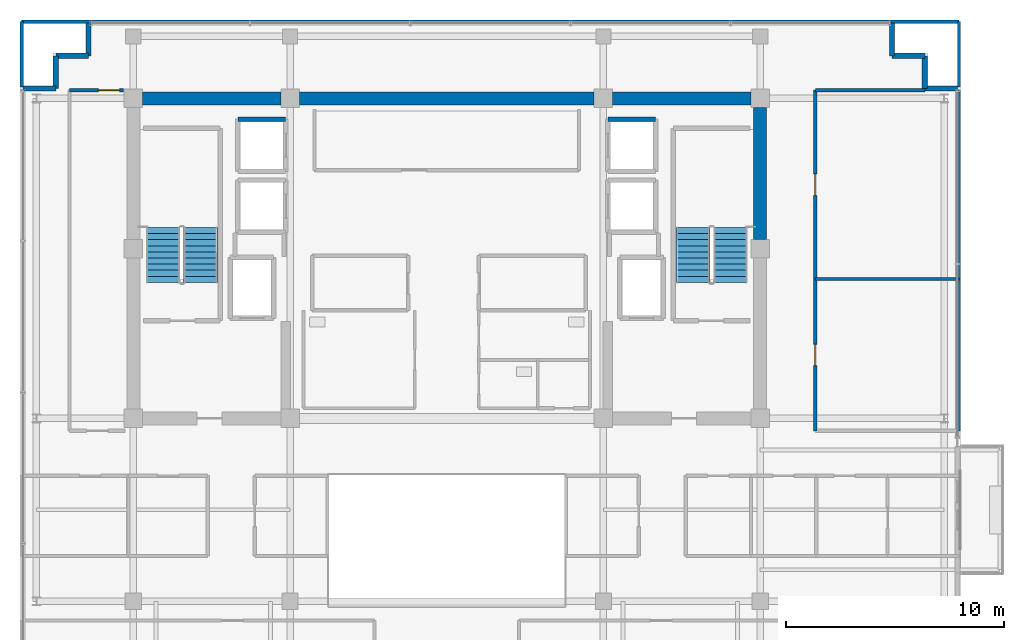
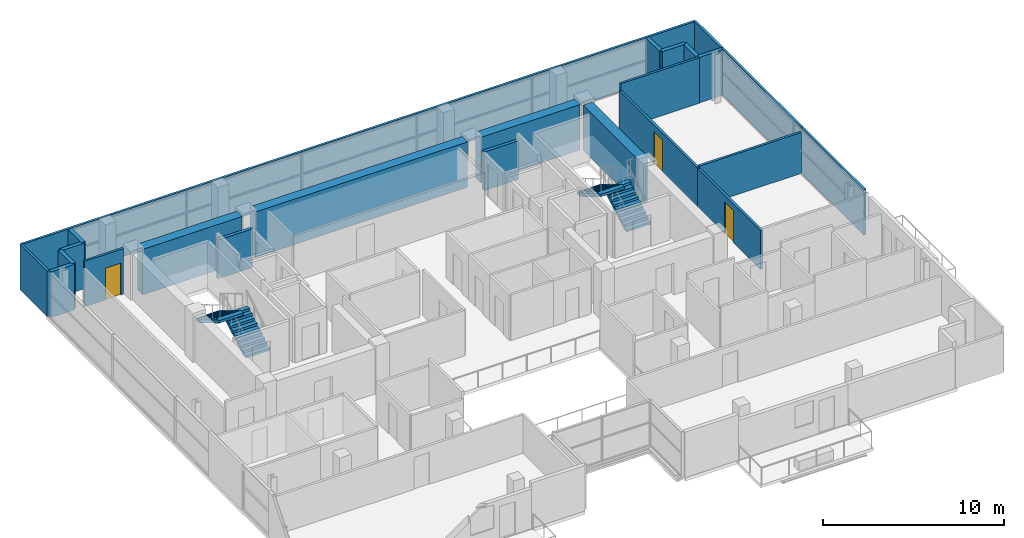
# One storey, part 18 of 22: 24 walls, 4 stair flights, 3 doors, 3 openings, 2 elements without a shape of their own.
"""IFC4 building model written with IfcOpenShell, lengths in metres."""

from ifc_helpers import new_model, si_unit, direction, frame, frame_2d, origin, place, context, subcontext, project, spatial, polyline, rectangle, outline, extrude, source, transform, mapped, material, layer, layer_set, type_object, element, fill, aggregate, save


model = new_model("IFC4")

# Units and contexts
model_context = context("Model", 3, precision=1e-05, world=origin(), true_north=direction((0.0, 1.0)))
body_context = subcontext(model_context, "Body", "Model", "MODEL_VIEW")
ifc_project = project(units=[si_unit("LENGTHUNIT", "METRE"), si_unit("AREAUNIT", "SQUARE_METRE"), si_unit("VOLUMEUNIT", "CUBIC_METRE"), si_unit("PLANEANGLEUNIT", "RADIAN"), si_unit("MASSUNIT", "GRAM", prefix="KILO")], contexts=[model_context])

# Site, building, storey
site_placement = place(None, origin())
site = spatial("IfcSite", under=ifc_project, at=site_placement, CompositionType="ELEMENT")
building_placement = place(site_placement, origin())
building = spatial("IfcBuilding", under=site, at=building_placement, Name="Zarnakvel Exchange Tower", CompositionType="ELEMENT")
storey_placement = place(building_placement, frame((0.0, 0.0, 251.800048828125)))
storey = spatial("IfcBuildingStorey", under=building, at=storey_placement, Name="L71", CompositionType="ELEMENT", Elevation=251.800048828125)

# Walls
ifc_material_1 = material(Name="Concrete C50/60", Category="concrete")
ifc_layer_1 = layer(ifc_material_1, 0.60009765625)
ifc_layer_set_1 = layer_set([ifc_layer_1], Name="Concrete C50/60")
wall_type_1 = type_object("IfcWallType", Name="CW-C5", PredefinedType="SHEAR", material=ifc_layer_set_1)
wall_1_placement = place(storey_placement, frame((-13.97509765625, 13.5, 0.0), z_axis=(0.0, 0.0, 1.0), x_axis=(1.0, 0.0, 0.0)))
element("IfcWall", 1, at=wall_1_placement, inside=storey, type_object=wall_type_1, Name="L71 Rear Core Shear Wall N1 (CW-C5)", PredefinedType="SHEAR", context=body_context, shape_type="SweptSolid", body=[
    extrude(rectangle(XDim=6.35009765625, YDim=0.60009765625, at=frame_2d((3.175048828125, 0.0))), origin(), (0.0, 0.0, 1.0), 3.074951171875),
])
wall_2_placement = place(storey_placement, frame((-6.77490234375, 13.5, 0.0), z_axis=(0.0, 0.0, 1.0), x_axis=(1.0, 0.0, 0.0)))
element("IfcWall", 2, at=wall_2_placement, inside=storey, type_object=wall_type_1, Name="L71 Rear Core Shear Wall N2 (CW-C5)", PredefinedType="SHEAR", context=body_context, shape_type="SweptSolid", body=[
    extrude(rectangle(XDim=13.5498046875, YDim=0.60009765625, at=frame_2d((6.77490234375, 0.0))), origin(), (0.0, 0.0, 1.0), 3.074951171875),
])
wall_3_placement = place(storey_placement, frame((7.625, 13.5, 0.0), z_axis=(0.0, 0.0, 1.0), x_axis=(1.0, 0.0, 0.0)))
element("IfcWall", 3, at=wall_3_placement, inside=storey, type_object=wall_type_1, Name="L71 Rear Core Shear Wall N3 (CW-C5)", PredefinedType="SHEAR", context=body_context, shape_type="SweptSolid", body=[
    extrude(rectangle(XDim=6.35009765625, YDim=0.60009765625, at=frame_2d((3.175048828125, 0.0))), origin(), (0.0, 0.0, 1.0), 3.074951171875),
])
wall_4_placement = place(storey_placement, frame((14.39990234375, 7.02490234375, 0.0), z_axis=(0.0, 0.0, 1.0), x_axis=(0.0, 1.0, 0.0)))
element("IfcWall", 4, at=wall_4_placement, inside=storey, type_object=wall_type_1, Name="L71 Rear Core Shear Wall E2 (CW-C5)", PredefinedType="SHEAR", context=body_context, shape_type="SweptSolid", body=[
    extrude(rectangle(XDim=6.050048828125, YDim=0.60009765625, at=frame_2d((3.02490234375, 0.0))), origin(), (0.0, 0.0, 1.0), 3.074951171875),
])
ifc_material_2 = material(Name="Precast concrete C40/50", Category="concrete")
ifc_layer_2 = layer(ifc_material_2, 0.239990234375)
ifc_layer_set_2 = layer_set([ifc_layer_2], Name="Precast concrete C40/50")
wall_type_2 = type_object("IfcWallType", Name="EW-02", PredefinedType="SOLIDWALL", material=ifc_layer_set_2)
for number, where, z_axis, x_axis, name in (
    (5, (-17.9599609375, 13.9599609375, 0.0), (0.0, 0.0, 1.0), (-1.0, 0.0, 0.0), "L71 Exterior Precast Spandrel Wall EWC-L71-01 (EW-02)"),
    (6, (-17.9599609375, 15.4599609375, 0.0), (0.0, 0.0, 1.0), (0.0, -1.0, 0.0), "L71 Exterior Precast Spandrel Wall EWC-L71-02 (EW-02)"),
    (7, (-16.4599609375, 15.4599609375, 0.0), (0.0, 0.0, 1.0), (-1.0, 0.0, 0.0), "L71 Exterior Precast Spandrel Wall EWC-L71-03 (EW-02)"),
    (8, (-16.4599609375, 16.9599609375, 0.0), (0.0, 0.0, 1.0), (0.0, -1.0, 0.0), "L71 Exterior Precast Spandrel Wall EWC-L71-04 (EW-02)"),
    (9, (20.4599609375, 15.4599609375, 0.0), (0.0, 0.0, 1.0), (0.0, 1.0, 0.0), "L71 Exterior Precast Spandrel Wall EWC-L71-05 (EW-02)"),
    (10, (21.9599609375, 15.4599609375, 0.0), (0.0, 0.0, 1.0), (-1.0, 0.0, 0.0), "L71 Exterior Precast Spandrel Wall EWC-L71-06 (EW-02)"),
    (11, (21.9599609375, 13.9599609375, 0.0), (0.0, 0.0, 1.0), (0.0, 1.0, 0.0), "L71 Exterior Precast Spandrel Wall EWC-L71-07 (EW-02)"),
    (12, (23.4599609375, 13.9599609375, 0.0), (0.0, 0.0, 1.0), (-1.0, 0.0, 0.0), "L71 Exterior Precast Spandrel Wall EWC-L71-08 (EW-02)"),
):
    element("IfcWall", number, at=place(storey_placement, frame(where, z_axis=z_axis, x_axis=x_axis)), inside=storey, type_object=wall_type_2, Name=name, PredefinedType="SOLIDWALL", context=body_context, shape_type="SweptSolid", body=[
        extrude(rectangle(XDim=1.5, YDim=0.239990234375, at=frame_2d((0.75, 0.0))), origin(), (0.0, 0.0, 1.0), 3.074951171875),
    ])

# Wall, opening, door
ifc_material_3 = material(Name="Fire-Rated Gypsum Stud Partition", Category="gypsum")
ifc_layer_3 = layer(ifc_material_3, 0.14990234375)
ifc_layer_set_3 = layer_set([ifc_layer_3], Name="Fire-Rated Gypsum Stud Partition")
wall_type_3 = type_object("IfcWallType", Name="PT-01", PredefinedType="PARTITIONING", material=ifc_layer_set_3)
wall_5_placement = place(storey_placement, frame((-17.3349609375, 13.8798828125, 0.0), z_axis=(0.0, 0.0, 1.0), x_axis=(1.0, 0.0, 0.0)))
wall_5 = element("IfcWall", 13, at=wall_5_placement, inside=storey, type_object=wall_type_3, Name="L71 Partition Wall PWALL-L71-070 (PT-01)", PredefinedType="PARTITIONING", context=body_context, shape_type="SweptSolid", body=[
    extrude(rectangle(XDim=2.489990234375, YDim=0.14990234375, at=frame_2d((1.2451171875, 0.0))), origin(), (0.0, 0.0, 1.0), 3.074951171875),
])
opening_1_placement = place(wall_5_placement, frame((1.330078125, 0.0, 0.0)))
opening_1 = element("IfcOpeningElement", 14, at=opening_1_placement, cuts=wall_5, Name="Opening D-L71-25", PredefinedType="OPENING", context=body_context, shape_type="SweptSolid", body=[
    extrude(rectangle(XDim=0.97998046875, YDim=2.14990234375, at=frame_2d((0.489990234375, 1.074951171875))), frame((0.0, 0.0849609375, 0.0), z_axis=(0.0, -1.0, 0.0), x_axis=(1.0, 0.0, 0.0)), (0.0, 0.0, 1.0), 0.169921875),
])
ifc_material_4 = material(Name="Timber Acoustic Veneer", Category="wood")
door_type = type_object("IfcDoorType", Name="DT-05", OperationType="NOTDEFINED", PredefinedType="DOOR", material=ifc_material_4)
shared_shape = source(origin(), body_context, "Body", "SweptSolid", [
    extrude(rectangle(XDim=0.97998046875, YDim=2.14990234375, at=frame_2d((0.489990234375, 1.074951171875))), frame((0.0, 0.02490234375, 0.0), z_axis=(0.0, -1.0, 0.0), x_axis=(1.0, 0.0, 0.0)), (0.0, 0.0, 1.0), 0.050048828125),
])
door_1_placement = place(opening_1_placement, origin())
door_1 = element("IfcDoor", 15, at=door_1_placement, inside=storey, type_object=door_type, Name="L71 Legal Records Office Door D-L71-25", OperationType="SINGLE_SWING_LEFT", OverallHeight=2.14990234375, OverallWidth=0.97998046875, PredefinedType="DOOR", context=body_context, shape_type="MappedRepresentation", body=[
    mapped(shared_shape, transform((0.0, 0.0, 0.0), x_axis=(1.0, 0.0, 0.0), y_axis=(0.0, 1.0, 0.0), z_axis=(0.0, 0.0, 1.0), scale=1.0)),
])
fill(opening_1, door_1)

# Wall
wall_6_placement = place(storey_placement, frame((16.929931640625, 5.203369140625, 0.0), z_axis=(0.0, 0.0, 1.0), x_axis=(1.0, 0.0, 0.0)))
element("IfcWall", 16, at=wall_6_placement, inside=storey, type_object=wall_type_3, Name="L71 Partition Wall PWALL-L71-073 (PT-01)", PredefinedType="PARTITIONING", context=body_context, shape_type="SweptSolid", body=[
    extrude(rectangle(XDim=6.60009765625, YDim=0.14990234375, at=frame_2d((3.300048828125, 0.0))), origin(), (0.0, 0.0, 1.0), 2.764892578125),
])

# Wall, opening, door
wall_7_placement = place(storey_placement, frame((16.929931640625, -1.77001953125, 0.0), z_axis=(0.0, 0.0, 1.0), x_axis=(0.0, 1.0, 0.0)))
wall_7 = element("IfcWall", 17, at=wall_7_placement, inside=storey, type_object=wall_type_3, Name="L71 Partition Wall PWALL-L71-074 (PT-01)", PredefinedType="PARTITIONING", context=body_context, shape_type="SweptSolid", body=[
    extrude(rectangle(XDim=6.973388671875, YDim=0.14990234375, at=frame_2d((3.48681640625, 0.0))), origin(), (0.0, 0.0, 1.0), 2.614990234375),
])
opening_2_placement = place(wall_7_placement, frame((2.9970703125, 0.0, 0.0)))
opening_2 = element("IfcOpeningElement", 18, at=opening_2_placement, cuts=wall_7, Name="Opening D-L71-23", PredefinedType="OPENING", context=body_context, shape_type="SweptSolid", body=[
    extrude(rectangle(XDim=0.97998046875, YDim=2.14990234375, at=frame_2d((0.489990234375, 1.074951171875))), frame((0.0, 0.0849609375, 0.0), z_axis=(0.0, -1.0, 0.0), x_axis=(1.0, 0.0, 0.0)), (0.0, 0.0, 1.0), 0.169921875),
])
door_2_placement = place(opening_2_placement, origin())
door_2 = element("IfcDoor", 19, at=door_2_placement, inside=storey, type_object=door_type, Name="L71 Executive Pantry Door D-L71-23", OperationType="SINGLE_SWING_LEFT", OverallHeight=2.14990234375, OverallWidth=0.97998046875, PredefinedType="DOOR", context=body_context, shape_type="MappedRepresentation", body=[
    mapped(shared_shape, transform((0.0, 0.0, 0.0), x_axis=(1.0, 0.0, 0.0), y_axis=(0.0, 1.0, 0.0), z_axis=(0.0, 0.0, 1.0), scale=1.0)),
])
fill(opening_2, door_2)

# Walls
wall_8_placement = place(storey_placement, frame((23.530029296875, 5.203369140625, 0.0), z_axis=(0.0, 0.0, 1.0), x_axis=(0.0, -1.0, 0.0)))
element("IfcWall", 20, at=wall_8_placement, inside=storey, type_object=wall_type_3, Name="L71 Partition Wall PWALL-L71-075 (PT-01)", PredefinedType="PARTITIONING", context=body_context, shape_type="SweptSolid", body=[
    extrude(rectangle(XDim=6.973388671875, YDim=0.14990234375, at=frame_2d((3.48681640625, 0.0))), origin(), (0.0, 0.0, 1.0), 3.074951171875),
])
wall_9_placement = place(storey_placement, frame((16.929931640625, 13.8798828125, 0.0), z_axis=(0.0, 0.0, 1.0), x_axis=(1.0, 0.0, 0.0)))
element("IfcWall", 21, at=wall_9_placement, inside=storey, type_object=wall_type_3, Name="L71 Partition Wall PWALL-L71-076 (PT-01)", PredefinedType="PARTITIONING", context=body_context, shape_type="SweptSolid", body=[
    extrude(rectangle(XDim=5.030029296875, YDim=0.14990234375, at=frame_2d((2.51513671875, 0.0))), origin(), (0.0, 0.0, 1.0), 3.074951171875),
])

# Wall, opening, door
wall_10_placement = place(storey_placement, frame((16.929931640625, 5.203369140625, 0.0), z_axis=(0.0, 0.0, 1.0), x_axis=(0.0, 1.0, 0.0)))
wall_10 = element("IfcWall", 22, at=wall_10_placement, inside=storey, type_object=wall_type_3, Name="L71 Partition Wall PWALL-L71-077 (PT-01)", PredefinedType="PARTITIONING", context=body_context, shape_type="SweptSolid", body=[
    extrude(rectangle(XDim=8.676513671875, YDim=0.14990234375, at=frame_2d((4.33837890625, 0.0))), origin(), (0.0, 0.0, 1.0), 2.614990234375),
])
opening_3_placement = place(wall_10_placement, frame((3.8486328125, 0.0, 0.0)))
opening_3 = element("IfcOpeningElement", 23, at=opening_3_placement, cuts=wall_10, Name="Opening D-L71-24", PredefinedType="OPENING", context=body_context, shape_type="SweptSolid", body=[
    extrude(rectangle(XDim=0.97998046875, YDim=2.14990234375, at=frame_2d((0.489990234375, 1.074951171875))), frame((0.0, 0.0849609375, 0.0), z_axis=(0.0, -1.0, 0.0), x_axis=(1.0, 0.0, 0.0)), (0.0, 0.0, 1.0), 0.169921875),
])
door_3_placement = place(opening_3_placement, origin())
door_3 = element("IfcDoor", 24, at=door_3_placement, inside=storey, type_object=door_type, Name="L71 Legal Records Office Door D-L71-24", OperationType="SINGLE_SWING_RIGHT", OverallHeight=2.14990234375, OverallWidth=0.97998046875, PredefinedType="DOOR", context=body_context, shape_type="MappedRepresentation", body=[
    mapped(shared_shape, transform((0.0, 0.0, 0.0), x_axis=(1.0, 0.0, 0.0), y_axis=(0.0, 1.0, 0.0), z_axis=(0.0, 0.0, 1.0), scale=1.0)),
])
fill(opening_3, door_3)

# Walls
wall_11_placement = place(storey_placement, frame((23.530029296875, 13.8798828125, 0.0), z_axis=(0.0, 0.0, 1.0), x_axis=(0.0, -1.0, 0.0)))
element("IfcWall", 25, at=wall_11_placement, inside=storey, type_object=wall_type_3, Name="L71 Partition Wall PWALL-L71-078 (PT-01)", PredefinedType="PARTITIONING", context=body_context, shape_type="SweptSolid", body=[
    extrude(rectangle(XDim=8.676513671875, YDim=0.14990234375, at=frame_2d((4.33837890625, 0.0))), origin(), (0.0, 0.0, 1.0), 3.074951171875),
])
wall_12_placement = place(storey_placement, frame((-19.530029296875, 17.030029296875, 0.0), z_axis=(0.0, 0.0, 1.0), x_axis=(1.0, 0.0, 0.0)))
element("IfcWall", 26, at=wall_12_placement, inside=storey, type_object=wall_type_3, Name="L71 Partition Wall PWALL-L71-079 (PT-01)", PredefinedType="PARTITIONING", context=body_context, shape_type="SweptSolid", body=[
    extrude(rectangle(XDim=43.06005859375, YDim=0.14990234375, at=frame_2d((21.530029296875, 0.0))), origin(), (0.0, 0.0, 1.0), 3.074951171875),
])
for number, where, z_axis, x_axis, name in (
    (27, (-19.530029296875, 14.030029296875, 0.0), (0.0, 0.0, 1.0), (0.0, 1.0, 0.0), "L71 Partition Wall PWALL-L71-080 (PT-01)"),
    (28, (23.530029296875, 17.030029296875, 0.0), (0.0, 0.0, 1.0), (0.0, -1.0, 0.0), "L71 Partition Wall PWALL-L71-081 (PT-01)"),
):
    element("IfcWall", number, at=place(storey_placement, frame(where, z_axis=z_axis, x_axis=x_axis)), inside=storey, type_object=wall_type_3, Name=name, PredefinedType="PARTITIONING", context=body_context, shape_type="SweptSolid", body=[
        extrude(rectangle(XDim=3.0, YDim=0.14990234375, at=frame_2d((1.5, 0.0))), origin(), (0.0, 0.0, 1.0), 3.074951171875),
    ])
ifc_material_5 = material(Name="Concrete C40/50", Category="concrete")
ifc_layer_4 = layer(ifc_material_5, 0.199951171875)
ifc_layer_set_4 = layer_set([ifc_layer_4], Name="Concrete C40/50")
wall_type_4 = type_object("IfcWallType", Name="SW-01", PredefinedType="SOLIDWALL", material=ifc_layer_set_4)
for number, where, z_axis, x_axis, name in (
    (29, (-9.60009765625, 12.550048828125, 0.0), (0.0, 0.0, 1.0), (1.0, 0.0, 0.0), "L71 PL-10 Hoistway Wall North"),
    (30, (7.39990234375, 12.550048828125, 0.0), (0.0, 0.0, 1.0), (1.0, 0.0, 0.0), "L71 PL-12 Hoistway Wall North"),
):
    element("IfcWall", number, at=place(storey_placement, frame(where, z_axis=z_axis, x_axis=x_axis)), inside=storey, type_object=wall_type_4, Name=name, PredefinedType="SOLIDWALL", context=body_context, shape_type="SweptSolid", body=[
        extrude(rectangle(XDim=2.2001953125, YDim=0.199951171875, at=frame_2d((1.10009765625, 0.0))), origin(), (0.0, 0.0, 1.0), 2.614990234375),
    ])

# Stair, stair flights
stair_type = type_object("IfcStairType", Name="STR-01", PredefinedType="HALF_TURN_STAIR", material=ifc_material_5)
stair_1_placement = place(storey_placement, origin())
stair_1 = element("IfcStair", 31, at=stair_1_placement, inside=storey, type_object=stair_type, Name="L71 Protected Core Exit Stair ST-01", PredefinedType="HALF_TURN_STAIR")
stair_flight_type = type_object("IfcStairFlightType", Name="FLT-01", PredefinedType="STRAIGHT", material=ifc_material_5)
stair_flight_1_placement = place(storey_placement, frame((-11.31494140625, 5.050048828125, 0.0), z_axis=(0.0, 0.0, 1.0), x_axis=(0.0, 1.0, 0.0)))
stair_flight_1 = element("IfcStairFlight", 32, at=stair_flight_1_placement, type_object=stair_flight_type, Name="ST-01 flight 1", NumberOfRisers=10, NumberOfTreads=9, PredefinedType="STRAIGHT", RiserHeight=0.165, TreadLength=0.28, context=body_context, shape_type="SweptSolid", body=[
    extrude(outline(polyline([(0.0, 0.0), (0.0, 0.1650390625), (0.280029296875, 0.1650390625), (0.280029296875, 0.330078125), (0.56005859375, 0.330078125), (0.56005859375, 0.4951171875), (0.840087890625, 0.4951171875), (0.840087890625, 0.659912109375), (1.1201171875, 0.659912109375), (1.1201171875, 0.824951171875), (1.39990234375, 0.824951171875), (1.39990234375, 0.989990234375), (1.679931640625, 0.989990234375), (1.679931640625, 1.155029296875), (1.9599609375, 1.155029296875), (1.9599609375, 1.320068359375), (2.239990234375, 1.320068359375), (2.239990234375, 1.485107421875), (2.52001953125, 1.485107421875), (2.52001953125, 1.64990234375), (2.52001953125, 1.31103515625), (0.295166015625, 0.0), (0.0, 0.0)])), frame((0.0, 0.77490234375, 0.0), z_axis=(0.0, -1.0, 0.0), x_axis=(1.0, 0.0, 0.0)), (0.0, 0.0, 1.0), 1.550048828125),
])
stair_flight_2_placement = place(storey_placement, frame((-13.02490234375, 7.570068359375, 1.64990234375), z_axis=(0.0, 0.0, 1.0), x_axis=(0.0, -1.0, 0.0)))
stair_flight_2 = element("IfcStairFlight", 33, at=stair_flight_2_placement, type_object=stair_flight_type, Name="ST-01 flight 2", NumberOfRisers=10, NumberOfTreads=9, PredefinedType="STRAIGHT", RiserHeight=0.165, TreadLength=0.28, context=body_context, shape_type="SweptSolid", body=[
    extrude(outline(polyline([(0.0, 0.0), (0.0, 0.1650390625), (0.280029296875, 0.1650390625), (0.280029296875, 0.330078125), (0.56005859375, 0.330078125), (0.56005859375, 0.4951171875), (0.840087890625, 0.4951171875), (0.840087890625, 0.659912109375), (1.1201171875, 0.659912109375), (1.1201171875, 0.824951171875), (1.39990234375, 0.824951171875), (1.39990234375, 0.989990234375), (1.679931640625, 0.989990234375), (1.679931640625, 1.155029296875), (1.9599609375, 1.155029296875), (1.9599609375, 1.320068359375), (2.239990234375, 1.320068359375), (2.239990234375, 1.485107421875), (2.52001953125, 1.485107421875), (2.52001953125, 1.64990234375), (2.52001953125, 1.31103515625), (0.295166015625, 0.0), (0.0, 0.0)])), frame((0.0, 0.77490234375, 0.0), z_axis=(0.0, -1.0, 0.0), x_axis=(1.0, 0.0, 0.0)), (0.0, 0.0, 1.0), 1.550048828125),
])
aggregate(stair_1, [stair_flight_1, stair_flight_2])

stair_2_placement = place(storey_placement, origin())
stair_2 = element("IfcStair", 34, at=stair_2_placement, inside=storey, type_object=stair_type, Name="L71 Protected Core Exit Stair ST-02", PredefinedType="HALF_TURN_STAIR")
stair_flight_3_placement = place(storey_placement, frame((13.02490234375, 5.050048828125, 0.0), z_axis=(0.0, 0.0, 1.0), x_axis=(0.0, 1.0, 0.0)))
stair_flight_3 = element("IfcStairFlight", 35, at=stair_flight_3_placement, type_object=stair_flight_type, Name="ST-02 flight 1", NumberOfRisers=10, NumberOfTreads=9, PredefinedType="STRAIGHT", RiserHeight=0.165, TreadLength=0.28, context=body_context, shape_type="SweptSolid", body=[
    extrude(outline(polyline([(0.0, 0.0), (0.0, 0.1650390625), (0.280029296875, 0.1650390625), (0.280029296875, 0.330078125), (0.56005859375, 0.330078125), (0.56005859375, 0.4951171875), (0.840087890625, 0.4951171875), (0.840087890625, 0.659912109375), (1.1201171875, 0.659912109375), (1.1201171875, 0.824951171875), (1.39990234375, 0.824951171875), (1.39990234375, 0.989990234375), (1.679931640625, 0.989990234375), (1.679931640625, 1.155029296875), (1.9599609375, 1.155029296875), (1.9599609375, 1.320068359375), (2.239990234375, 1.320068359375), (2.239990234375, 1.485107421875), (2.52001953125, 1.485107421875), (2.52001953125, 1.64990234375), (2.52001953125, 1.31103515625), (0.295166015625, 0.0), (0.0, 0.0)])), frame((0.0, 0.77490234375, 0.0), z_axis=(0.0, -1.0, 0.0), x_axis=(1.0, 0.0, 0.0)), (0.0, 0.0, 1.0), 1.550048828125),
])
stair_flight_4_placement = place(storey_placement, frame((11.31494140625, 7.570068359375, 1.64990234375), z_axis=(0.0, 0.0, 1.0), x_axis=(0.0, -1.0, 0.0)))
stair_flight_4 = element("IfcStairFlight", 36, at=stair_flight_4_placement, type_object=stair_flight_type, Name="ST-02 flight 2", NumberOfRisers=10, NumberOfTreads=9, PredefinedType="STRAIGHT", RiserHeight=0.165, TreadLength=0.28, context=body_context, shape_type="SweptSolid", body=[
    extrude(outline(polyline([(0.0, 0.0), (0.0, 0.1650390625), (0.280029296875, 0.1650390625), (0.280029296875, 0.330078125), (0.56005859375, 0.330078125), (0.56005859375, 0.4951171875), (0.840087890625, 0.4951171875), (0.840087890625, 0.659912109375), (1.1201171875, 0.659912109375), (1.1201171875, 0.824951171875), (1.39990234375, 0.824951171875), (1.39990234375, 0.989990234375), (1.679931640625, 0.989990234375), (1.679931640625, 1.155029296875), (1.9599609375, 1.155029296875), (1.9599609375, 1.320068359375), (2.239990234375, 1.320068359375), (2.239990234375, 1.485107421875), (2.52001953125, 1.485107421875), (2.52001953125, 1.64990234375), (2.52001953125, 1.31103515625), (0.295166015625, 0.0), (0.0, 0.0)])), frame((0.0, 0.77490234375, 0.0), z_axis=(0.0, -1.0, 0.0), x_axis=(1.0, 0.0, 0.0)), (0.0, 0.0, 1.0), 1.550048828125),
])
aggregate(stair_2, [stair_flight_3, stair_flight_4])

save(model, "model.ifc")
